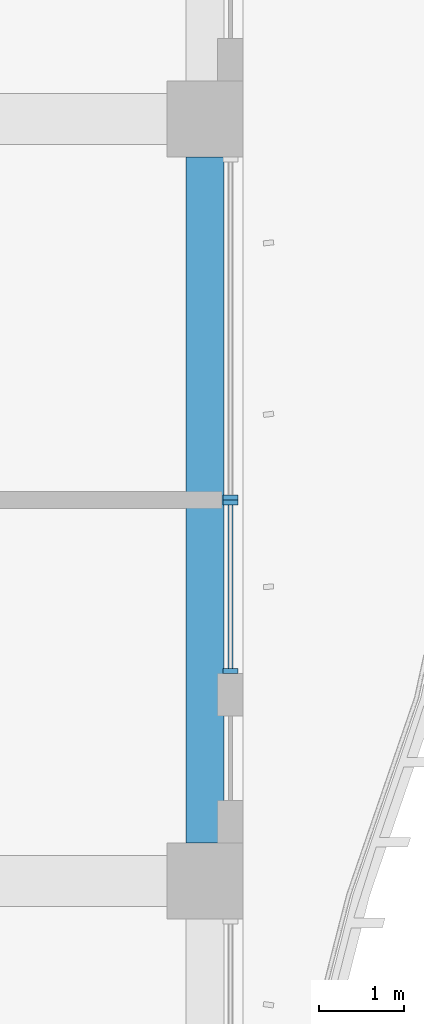
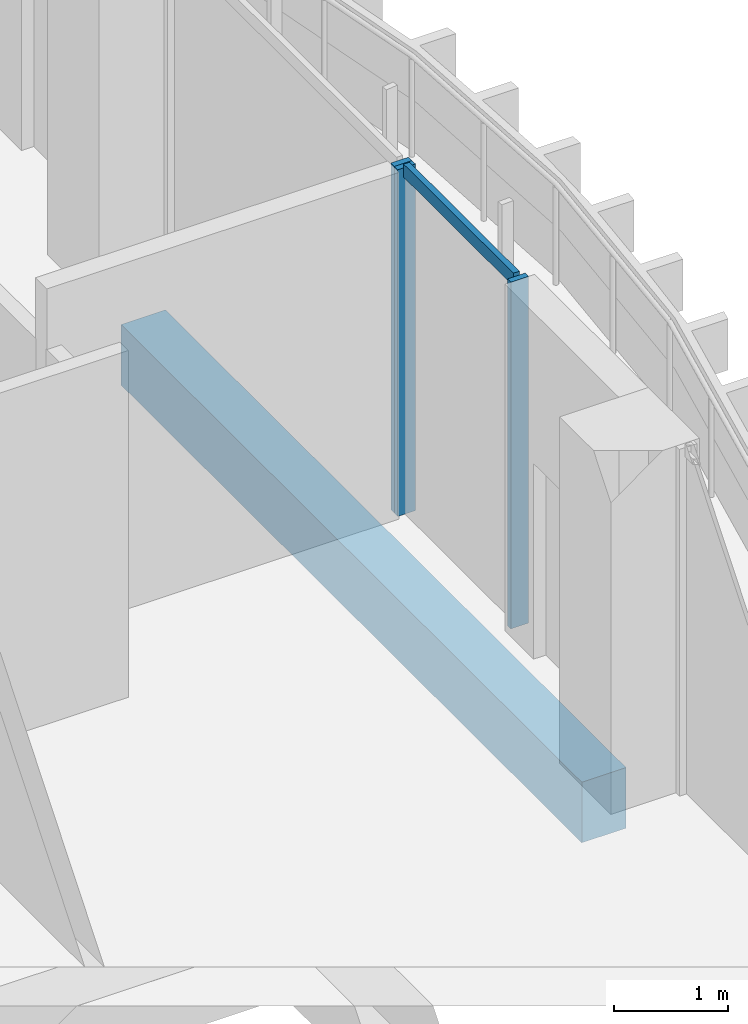
# One storey, part 9 of 28: 4 members, 1 beam, 2 elements without a shape of their own.
"""IFC4 building model written with IfcOpenShell, lengths in metres."""

from ifc_helpers import new_model, si_unit, direction, frame, origin, origin_2d, place, context, subcontext, project, spatial, rectangle, extrude, source, transform, mapped, material, material_profile, profile_set, type_object, element, aggregate, save


model = new_model("IFC4")

# Units and contexts
model_context = context("Model", 3, precision=1e-05, world=origin(), true_north=direction((0.0, 1.0)))
body_context = subcontext(model_context, "Body", "Model", "MODEL_VIEW")
ifc_project = project(units=[si_unit("LENGTHUNIT", "METRE"), si_unit("AREAUNIT", "SQUARE_METRE"), si_unit("VOLUMEUNIT", "CUBIC_METRE"), si_unit("PLANEANGLEUNIT", "RADIAN"), si_unit("MASSUNIT", "GRAM", prefix="KILO")], contexts=[model_context])

# Site, building, storey
site_placement = place(None, origin())
site = spatial("IfcSite", under=ifc_project, at=site_placement, CompositionType="ELEMENT")
building_placement = place(site_placement, origin())
building = spatial("IfcBuilding", under=site, at=building_placement, Name="Kilnfold Tower and Market Hall", CompositionType="ELEMENT")
storey_placement = place(building_placement, frame((0.0, 0.0, 75.199951171875)))
storey = spatial("IfcBuildingStorey", under=building, at=storey_placement, Name="L17", CompositionType="ELEMENT", Elevation=75.199951171875)

# Beam
ifc_material_1 = material(Name="Concrete C45", Category="concrete")
ifc_material_profile_1 = material_profile(ifc_material_1, rectangle(XDim=0.449951171875, YDim=0.64990234375, at=origin_2d()), Name="RC 450x650")
ifc_profile_set_1 = profile_set([ifc_material_profile_1], Name="Concrete C45")
beam_type = type_object("IfcBeamType", Name="EDGE BEAM 450X650 C45", PredefinedType="BEAM", material=ifc_profile_set_1)
shared_shape_1 = source(origin(), body_context, "Body", "SweptSolid", [
    extrude(rectangle(XDim=0.449951171875, YDim=0.64990234375, at=origin_2d()), origin(), (0.0, 0.0, 1.0), 8.10009765625),
])
beam_placement = place(storey_placement, frame((32.550048828125, -0.550048828125, -0.60498046875), z_axis=(0.0, 1.0, 0.0), x_axis=(-1.0, 0.0, 0.0)))
element("IfcBeam", 1, at=beam_placement, inside=storey, type_object=beam_type, Name="Beam EB650-B2.102", PredefinedType="BEAM", context=body_context, shape_type="MappedRepresentation", body=[
    mapped(shared_shape_1, transform((0.0, 0.0, 0.0))),
])

# Curtain wall, members
ifc_material_2 = material(Name="Aluminium and double glazing", Category="aluminium")
curtain_wall_type = type_object("IfcCurtainWallType", Name="CW OF1 VALLEY GLAZING", PredefinedType="NOTDEFINED", material=ifc_material_2)
curtain_wall_1_placement = place(storey_placement, origin())
curtain_wall_1 = element("IfcCurtainWall", 2, at=curtain_wall_1_placement, inside=storey, type_object=curtain_wall_type, Name="Curtain wall CW1 L17 E", PredefinedType="NOTDEFINED")
ifc_material_3 = material(Name="Aluminium", Category="aluminium")
ifc_material_profile_2 = material_profile(ifc_material_3, rectangle(XDim=0.06005859375, YDim=0.179931640625, at=origin_2d()), Name="MULLION 60x180")
ifc_profile_set_2 = profile_set([ifc_material_profile_2], Name="Aluminium")
member_type_1 = type_object("IfcMemberType", Name="MULLION 60X180", PredefinedType="MULLION", material=ifc_profile_set_2)
shared_shape_2 = source(origin(), body_context, "Body", "SweptSolid", [
    extrude(rectangle(XDim=0.06005859375, YDim=0.179931640625, at=origin_2d()), origin(), (0.0, 0.0, 1.0), 3.719970703125),
])
member_1_placement = place(storey_placement, frame((32.85009765625, 1.47998046875, 0.0), z_axis=(0.0, 0.0, 1.0), x_axis=(0.0, 1.0, 0.0)))
member_1 = element("IfcMember", 3, at=member_1_placement, type_object=member_type_1, Name="CW1 mullion 1", PredefinedType="MULLION", context=body_context, shape_type="MappedRepresentation", body=[
    mapped(shared_shape_2, transform((0.0, 0.0, 0.0))),
])
member_2_placement = place(storey_placement, frame((32.85009765625, 3.469970703125, 0.0), z_axis=(0.0, 0.0, 1.0), x_axis=(0.0, 1.0, 0.0)))
member_2 = element("IfcMember", 4, at=member_2_placement, type_object=member_type_1, Name="CW1 mullion 2", PredefinedType="MULLION", context=body_context, shape_type="MappedRepresentation", body=[
    mapped(shared_shape_2, transform((0.0, 0.0, 0.0))),
])

# Curtain wall, member
curtain_wall_2_placement = place(storey_placement, origin())
curtain_wall_2 = element("IfcCurtainWall", 5, at=curtain_wall_2_placement, inside=storey, type_object=curtain_wall_type, Name="Curtain wall CW1 L17 E", PredefinedType="NOTDEFINED")
member_3_placement = place(storey_placement, frame((32.85009765625, 3.530029296875, 0.0), z_axis=(0.0, 0.0, 1.0), x_axis=(0.0, 1.0, 0.0)))
member_3 = element("IfcMember", 6, at=member_3_placement, type_object=member_type_1, Name="CW1 mullion 1", PredefinedType="MULLION", context=body_context, shape_type="MappedRepresentation", body=[
    mapped(shared_shape_2, transform((0.0, 0.0, 0.0))),
])
aggregate(curtain_wall_2, [member_3])

# Member
ifc_material_4 = material(Name="Aluminium", Category="aluminium")
ifc_material_profile_3 = material_profile(ifc_material_4, rectangle(XDim=0.06005859375, YDim=0.139892578125, at=origin_2d()), Name="TRANSOM 60x140")
ifc_profile_set_3 = profile_set([ifc_material_profile_3], Name="Aluminium")
member_type_2 = type_object("IfcMemberType", Name="TRANSOM 60X140", PredefinedType="USERDEFINED", material=ifc_profile_set_3)
shared_shape_3 = source(origin(), body_context, "Body", "SweptSolid", [
    extrude(rectangle(XDim=0.06005859375, YDim=0.139892578125, at=origin_2d()), origin(), (0.0, 0.0, 1.0), 1.929931640625),
])
member_4_placement = place(storey_placement, frame((32.85009765625, 1.510009765625, 3.68994140625), z_axis=(0.0, 1.0, 0.0), x_axis=(-1.0, 0.0, 0.0)))
member_4 = element("IfcMember", 7, at=member_4_placement, type_object=member_type_2, Name="CW1 transom 1.2", ObjectType="TRANSOM", PredefinedType="USERDEFINED", context=body_context, shape_type="MappedRepresentation", body=[
    mapped(shared_shape_3, transform((0.0, 0.0, 0.0))),
])

aggregate(curtain_wall_1, [member_1, member_2, member_4])

save(model, "model.ifc")
